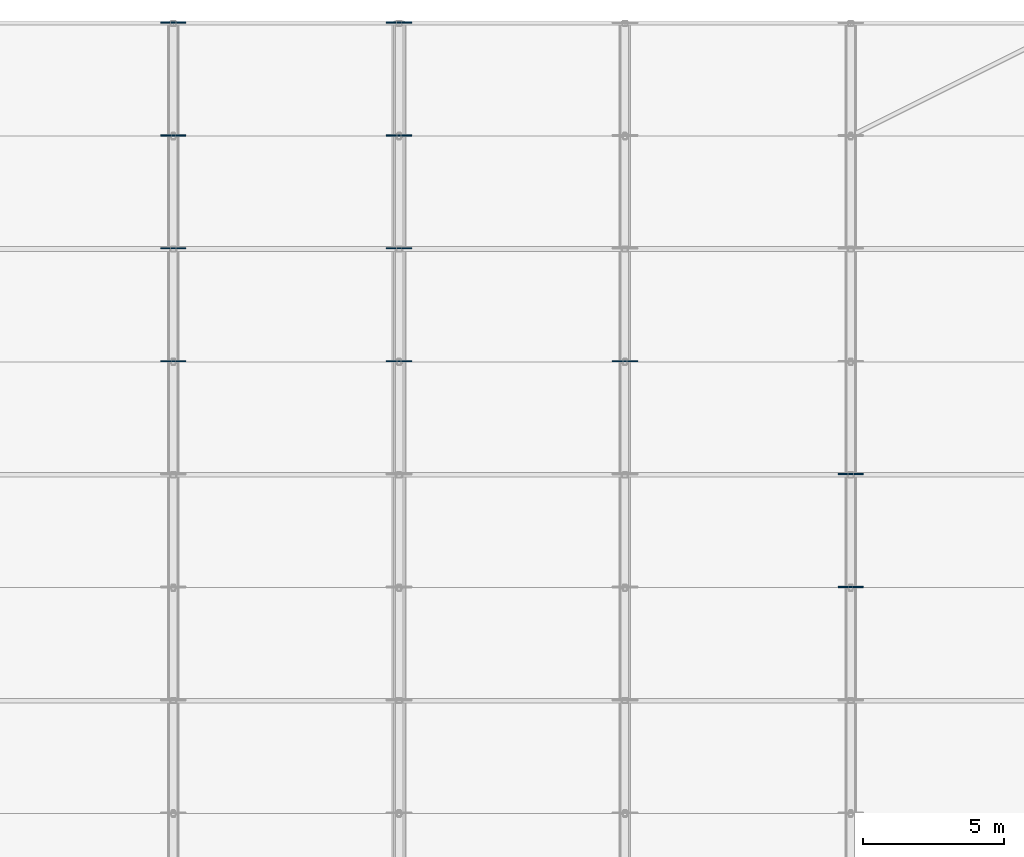
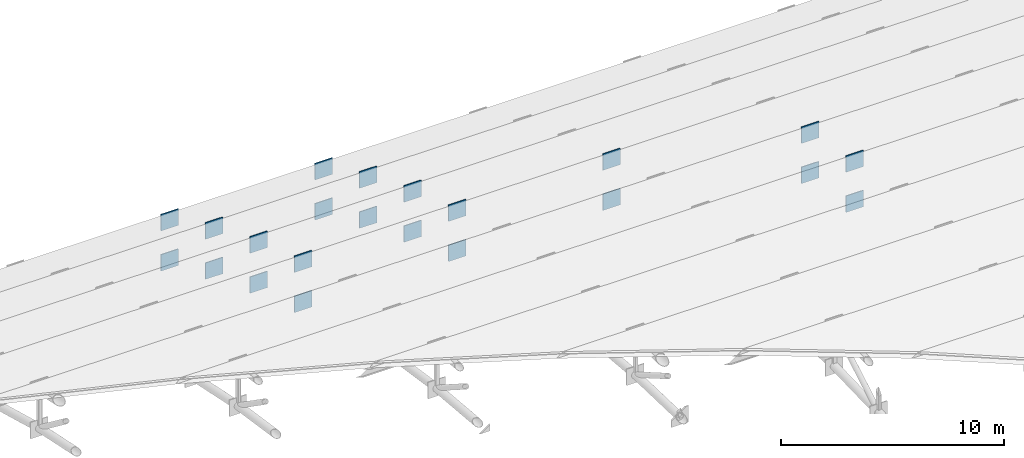
# One storey, part 87 of 98: 22 plates.
"""IFC4 building model written with IfcOpenShell, lengths in metres."""

from ifc_helpers import new_model, si_unit, direction, frame, origin, origin_2d, place, context, subcontext, project, spatial, rectangle, extrude, material, layer, layer_set, type_object, element, save


model = new_model("IFC4")

# Units and contexts
model_context = context("Model", 3, precision=1e-05, world=origin(), true_north=direction((0.0, 1.0)))
body_context = subcontext(model_context, "Body", "Model", "MODEL_VIEW")
ifc_project = project(units=[si_unit("LENGTHUNIT", "METRE"), si_unit("AREAUNIT", "SQUARE_METRE"), si_unit("VOLUMEUNIT", "CUBIC_METRE"), si_unit("PLANEANGLEUNIT", "RADIAN"), si_unit("MASSUNIT", "GRAM", prefix="KILO")], contexts=[model_context])

# Site, building, storey
site_placement = place(None, origin())
site = spatial("IfcSite", under=ifc_project, at=site_placement, CompositionType="ELEMENT")
building_placement = place(site_placement, origin())
building = spatial("IfcBuilding", under=site, at=building_placement, Name="Tlacozan Convention Centre", CompositionType="ELEMENT")
storey_placement = place(building_placement, frame((0.0, 0.0, 25.800048828125)))
storey = spatial("IfcBuildingStorey", under=building, at=storey_placement, Name="Roof", CompositionType="ELEMENT", Elevation=25.800048828125)

# Plates
ifc_material = material(Name="Steel ASTM A572 Grade 50", Category="steel")
ifc_layer = layer(ifc_material, 0.044921875)
ifc_layer_set = layer_set([ifc_layer], Name="Steel ASTM A572 Grade 50")
plate_type = type_object("IfcPlateType", Name="Arch Springing Node Gusset Plate", PredefinedType="SHEET", material=ifc_layer_set)
for number, where, z_axis, x_axis, name in (
    (1, (64.0, 114.025634765625, -6.064697265625), (0.0, 0.0, 1.0), (0.0, 1.0, 0.0), "Roof Gusset Cap Plate 299"),
    (2, (64.0, 114.025634765625, -8.2646484375), (0.0, 0.0, 1.0), (0.0, 1.0, 0.0), "Roof Gusset Cap Plate 300"),
    (3, (64.0, 118.025146484375, -7.434814453125), (0.0, 0.0, 1.0), (0.0, 1.0, 0.0), "Roof Gusset Cap Plate 301"),
    (4, (64.0, 118.025146484375, -9.634765625), (0.0, 0.0, 1.0), (0.0, 1.0, 0.0), "Roof Gusset Cap Plate 302"),
    (5, (64.0, 122.0244140625, -9.09228515625), (0.0, 0.0, 1.0), (0.0, 1.0, 0.0), "Roof Gusset Cap Plate 303"),
    (6, (64.0, 122.0244140625, -11.29248046875), (0.0, 0.0, 1.0), (0.0, 1.0, 0.0), "Roof Gusset Cap Plate 304"),
    (7, (64.0, 126.023681640625, -11.061767578125), (0.0, 0.0, 1.0), (0.0, 1.0, 0.0), "Roof Gusset Cap Plate 305"),
    (8, (64.0, 126.023681640625, -13.26171875), (0.0, 0.0, 1.0), (0.0, 1.0, 0.0), "Roof Gusset Cap Plate 306"),
    (9, (72.0, 114.025634765625, -6.064697265625), (0.0, 0.0, 1.0), (0.0, 1.0, 0.0), "Roof Gusset Cap Plate 333"),
    (10, (72.0, 114.025634765625, -8.2646484375), (0.0, 0.0, 1.0), (0.0, 1.0, 0.0), "Roof Gusset Cap Plate 334"),
    (11, (72.0, 118.025146484375, -7.434814453125), (0.0, 0.0, 1.0), (0.0, 1.0, 0.0), "Roof Gusset Cap Plate 335"),
    (12, (72.0, 118.025146484375, -9.634765625), (0.0, 0.0, 1.0), (0.0, 1.0, 0.0), "Roof Gusset Cap Plate 336"),
    (13, (72.0, 122.0244140625, -9.09228515625), (0.0, 0.0, 1.0), (0.0, 1.0, 0.0), "Roof Gusset Cap Plate 337"),
    (14, (72.0, 122.0244140625, -11.29248046875), (0.0, 0.0, 1.0), (0.0, 1.0, 0.0), "Roof Gusset Cap Plate 338"),
    (15, (72.0, 126.023681640625, -11.061767578125), (0.0, 0.0, 1.0), (0.0, 1.0, 0.0), "Roof Gusset Cap Plate 339"),
    (16, (72.0, 126.023681640625, -13.26171875), (0.0, 0.0, 1.0), (0.0, 1.0, 0.0), "Roof Gusset Cap Plate 340"),
    (17, (80.0, 114.025634765625, -6.064697265625), (0.0, 0.0, 1.0), (0.0, 1.0, 0.0), "Roof Gusset Cap Plate 367"),
    (18, (80.0, 114.025634765625, -8.2646484375), (0.0, 0.0, 1.0), (0.0, 1.0, 0.0), "Roof Gusset Cap Plate 368"),
    (19, (88.0, 106.026123046875, -4.12109375), (0.0, 0.0, 1.0), (0.0, 1.0, 0.0), "Roof Gusset Cap Plate 397"),
    (20, (88.0, 106.026123046875, -6.321044921875), (0.0, 0.0, 1.0), (0.0, 1.0, 0.0), "Roof Gusset Cap Plate 398"),
    (21, (88.0, 110.02587890625, -4.964599609375), (0.0, 0.0, 1.0), (0.0, 1.0, 0.0), "Roof Gusset Cap Plate 399"),
    (22, (88.0, 110.02587890625, -7.164794921875), (0.0, 0.0, 1.0), (0.0, 1.0, 0.0), "Roof Gusset Cap Plate 400"),
):
    element("IfcPlate", number, at=place(storey_placement, frame(where, z_axis=z_axis, x_axis=x_axis)), inside=storey, type_object=plate_type, Name=name, PredefinedType="SHEET", context=body_context, shape_type="SweptSolid", body=[
        extrude(rectangle(XDim=0.044921875, YDim=0.89990234375, at=origin_2d()), origin(), (0.0, 0.0, 1.0), 0.89990234375),
    ])

save(model, "model.ifc")
